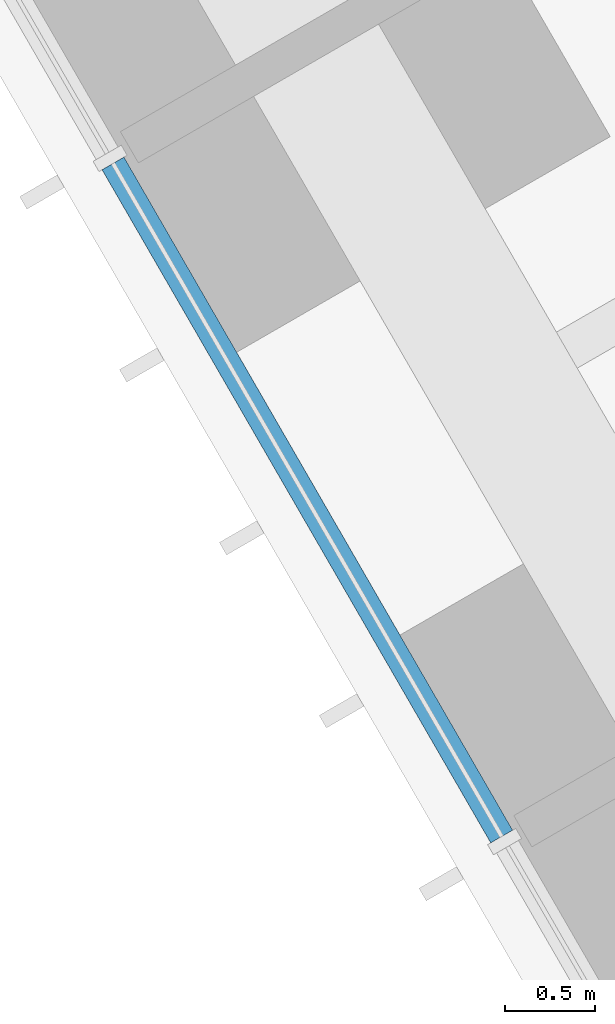
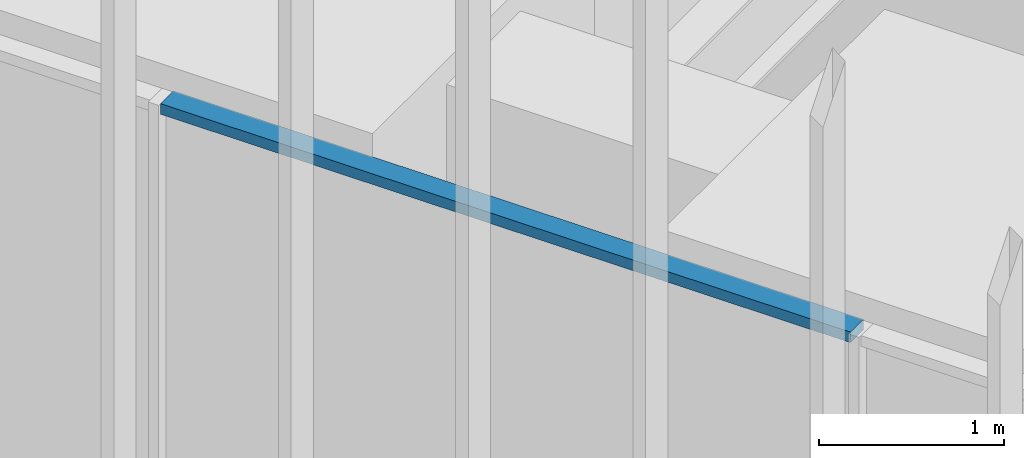
# One storey, part 48 of 256: 1 member, 1 element without a shape of its own.
"""IFC4 building model written with IfcOpenShell, lengths in metres."""

from ifc_helpers import new_model, si_unit, direction, frame, origin, origin_2d, place, context, subcontext, project, spatial, rectangle, extrude, material, material_profile, profile_set, type_object, element, aggregate, save


model = new_model("IFC4")

# Units and contexts
model_context = context("Model", 3, precision=1e-05, world=origin(), true_north=direction((0.0, 1.0)))
body_context = subcontext(model_context, "Body", "Model", "MODEL_VIEW")
ifc_project = project(units=[si_unit("LENGTHUNIT", "METRE"), si_unit("AREAUNIT", "SQUARE_METRE"), si_unit("VOLUMEUNIT", "CUBIC_METRE"), si_unit("PLANEANGLEUNIT", "RADIAN"), si_unit("MASSUNIT", "GRAM", prefix="KILO")], contexts=[model_context])

# Site, building, storey
site_placement = place(None, origin())
site = spatial("IfcSite", under=ifc_project, at=site_placement, CompositionType="ELEMENT")
building_placement = place(site_placement, origin())
building = spatial("IfcBuilding", under=site, at=building_placement, Name="Sandreach Pilgrim Tower", CompositionType="ELEMENT")
storey_placement = place(building_placement, frame((0.0, 0.0, 23.0)))
storey = spatial("IfcBuildingStorey", under=building, at=storey_placement, Name="L04", CompositionType="ELEMENT", Elevation=23.0)

# Curtain wall, member
ifc_material_1 = material(Name="Aluminium framed curtain wall", Category="aluminium")
curtain_wall_type = type_object("IfcCurtainWallType", Name="Hostel tower curtain wall", PredefinedType="NOTDEFINED", material=ifc_material_1)
curtain_wall_placement = place(storey_placement, origin())
curtain_wall = element("IfcCurtainWall", 1, at=curtain_wall_placement, inside=storey, type_object=curtain_wall_type, Name="CW-1 L04 SW", PredefinedType="NOTDEFINED")
ifc_material_2 = material(Name="Aluminium extrusion", Category="aluminium")
ifc_material_profile = material_profile(ifc_material_2, rectangle(XDim=0.139892578125, YDim=0.070068359375, at=origin_2d()), Name="CW-1T 140X70")
ifc_profile_set = profile_set([ifc_material_profile], Name="Aluminium extrusion")
member_type = type_object("IfcMemberType", Name="CW-1 transom", PredefinedType="USERDEFINED", material=ifc_profile_set)
member_placement = place(storey_placement, frame((-19.66357421875, -13.839111328125, 3.60498046875), z_axis=(-0.500016891966, 0.866015650984, 0.0), x_axis=(-0.866015650984, -0.500016891966, 0.0)))
member = element("IfcMember", 2, at=member_placement, type_object=member_type, Name="CW-1 head transom 5", ObjectType="TRANSOM", PredefinedType="USERDEFINED", context=body_context, shape_type="SweptSolid", body=[
    extrude(rectangle(XDim=0.139892578125, YDim=0.070068359375, at=origin_2d()), origin(), (0.0, 0.0, 1.0), 4.306396484375),
])
aggregate(curtain_wall, [member])

save(model, "model.ifc")
